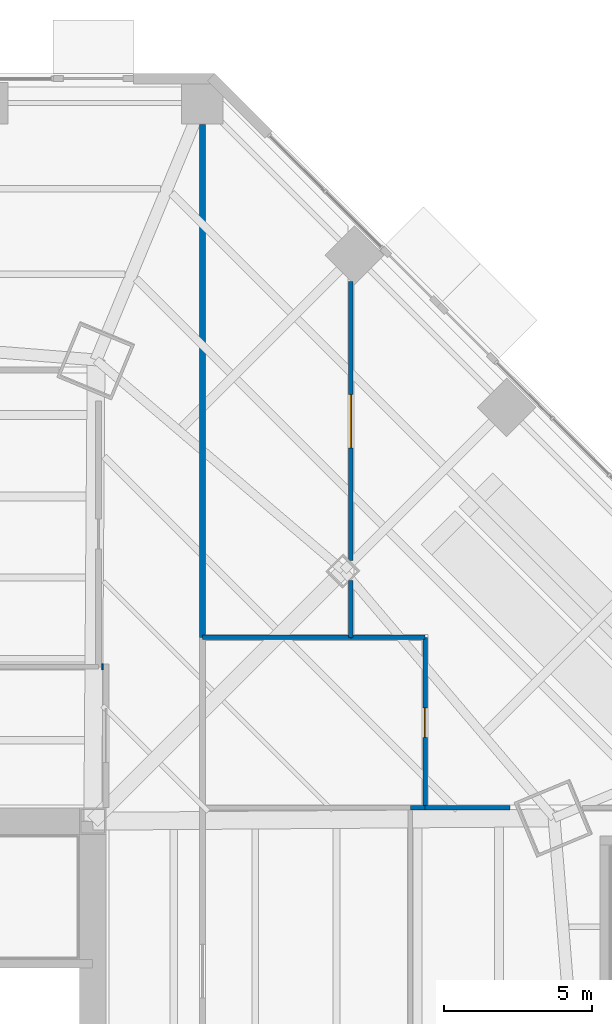
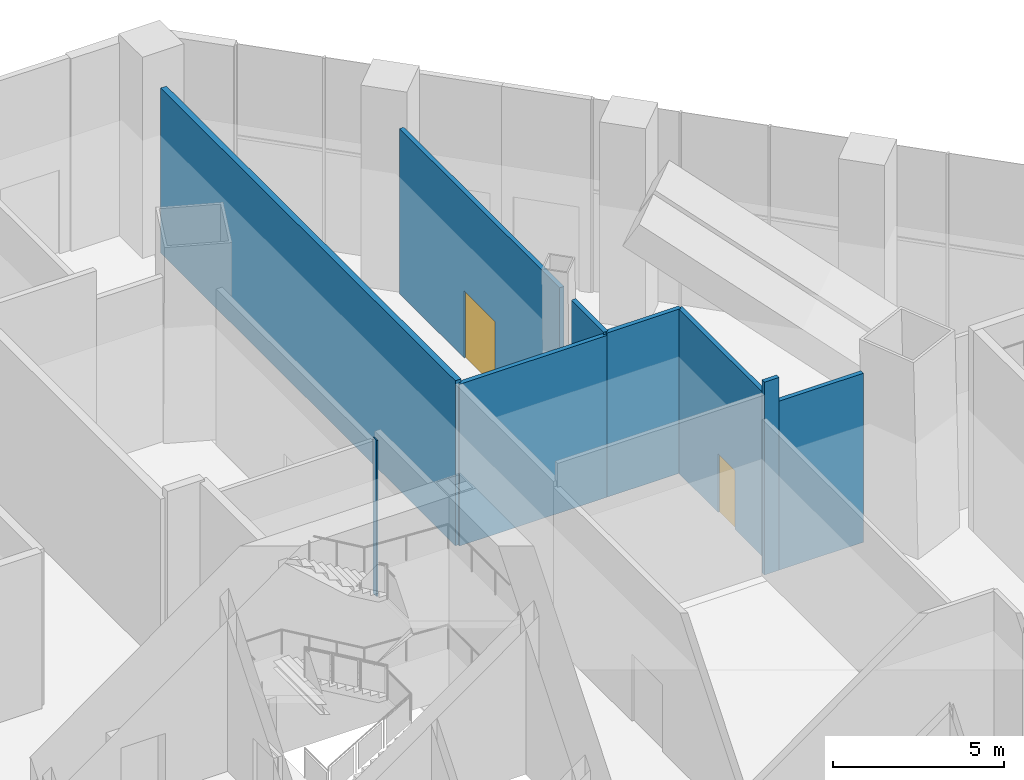
# One storey, part 24 of 35: 9 walls, 2 doors, 2 openings.
"""IFC4 building model written with IfcOpenShell, lengths in metres."""

from ifc_helpers import new_model, si_unit, direction, frame, frame_2d, origin, place, context, subcontext, project, spatial, rectangle, extrude, material, layer, layer_set, type_object, element, fill, save


model = new_model("IFC4")

# Units and contexts
model_context = context("Model", 3, precision=1e-05, world=origin(), true_north=direction((0.0, 1.0)))
body_context = subcontext(model_context, "Body", "Model", "MODEL_VIEW")
ifc_project = project(units=[si_unit("LENGTHUNIT", "METRE"), si_unit("AREAUNIT", "SQUARE_METRE"), si_unit("VOLUMEUNIT", "CUBIC_METRE"), si_unit("PLANEANGLEUNIT", "RADIAN"), si_unit("MASSUNIT", "GRAM", prefix="KILO")], contexts=[model_context])

# Site, building, storey
site_placement = place(None, origin())
site = spatial("IfcSite", under=ifc_project, at=site_placement, CompositionType="ELEMENT")
building_placement = place(site_placement, origin())
building = spatial("IfcBuilding", under=site, at=building_placement, Name="Mashrafa Tower", CompositionType="ELEMENT")
storey_placement = place(building_placement, origin())
storey = spatial("IfcBuildingStorey", under=building, at=storey_placement, Name="L00", CompositionType="ELEMENT", Elevation=0.0)

# Wall
ifc_material_1 = material(Name="Gypsum board on steel studs", Category="steel")
ifc_layer_1 = layer(ifc_material_1, 0.14990234375)
ifc_layer_set_1 = layer_set([ifc_layer_1], Name="Corridor partition 150 1 hr")
wall_type_1 = type_object("IfcWallType", Name="Corridor partition 150 1 hr", PredefinedType="PARTITIONING", material=ifc_layer_set_1)
wall_1_placement = place(storey_placement, frame((24.85302734375, 11.25, 0.0), z_axis=(0.0, 0.0, 1.0), x_axis=(-1.0, 0.0, 0.0)))
element("IfcWall", 1, at=wall_1_placement, inside=storey, type_object=wall_type_1, Name="Corridor wall L00-077", PredefinedType="PARTITIONING", context=body_context, shape_type="SweptSolid", body=[
    extrude(rectangle(XDim=2.85400390625, YDim=0.14990234375, at=frame_2d((1.427001953125, 0.0))), origin(), (0.0, 0.0, 1.0), 6.04931640625),
])

# Wall, opening, door
wall_2_placement = place(storey_placement, frame((22.0, 11.25, 0.0), z_axis=(0.0, 0.0, 1.0), x_axis=(0.0, 1.0, 0.0)))
wall_2 = element("IfcWall", 2, at=wall_2_placement, inside=storey, type_object=wall_type_1, Name="Corridor wall L00-083", PredefinedType="PARTITIONING", context=body_context, shape_type="SweptSolid", body=[
    extrude(rectangle(XDim=5.75, YDim=0.14990234375, at=frame_2d((2.875, 0.0))), origin(), (0.0, 0.0, 1.0), 5.879150390625),
])
opening_1_placement = place(wall_2_placement, frame((2.375, 0.0, 0.0)))
opening_1 = element("IfcOpeningElement", 3, at=opening_1_placement, cuts=wall_2, Name="Opening 00.019", PredefinedType="OPENING", context=body_context, shape_type="SweptSolid", body=[
    extrude(rectangle(XDim=1.0, YDim=2.10009765625, at=frame_2d((0.5, 1.050048828125))), frame((0.0, 0.0849609375, 0.0), z_axis=(0.0, -1.0, 0.0), x_axis=(1.0, 0.0, 0.0)), (0.0, 0.0, 1.0), 0.169921875),
])
ifc_material_2 = material(Name="Timber door", Category="wood")
door_type_1 = type_object("IfcDoorType", Name="Door 1000 x 2100", OperationType="USERDEFINED", PredefinedType="DOOR", material=ifc_material_2)
door_1_placement = place(opening_1_placement, origin())
door_1 = element("IfcDoor", 4, at=door_1_placement, inside=storey, type_object=door_type_1, Name="Exhibition Ticket Office L00 door", OperationType="SINGLE_SWING_LEFT", OverallHeight=2.10009765625, OverallWidth=1.0, PredefinedType="DOOR", context=body_context, shape_type="SweptSolid", body=[
    extrude(rectangle(XDim=1.0, YDim=2.10009765625, at=frame_2d((0.5, 1.050048828125))), frame((0.0, 0.02490234375, 0.0), z_axis=(0.0, -1.0, 0.0), x_axis=(1.0, 0.0, 0.0)), (0.0, 0.0, 1.0), 0.050048828125),
])
fill(opening_1, door_1)

# Walls
wall_3_placement = place(storey_placement, frame((22.0, 17.0, 0.0), z_axis=(0.0, 0.0, 1.0), x_axis=(-1.0, 0.0, 0.0)))
element("IfcWall", 5, at=wall_3_placement, inside=storey, type_object=wall_type_1, Name="Corridor wall L00-084", PredefinedType="PARTITIONING", context=body_context, shape_type="SweptSolid", body=[
    extrude(rectangle(XDim=2.5009765625, YDim=0.14990234375, at=frame_2d((1.25048828125, 0.0))), origin(), (0.0, 0.0, 1.0), 5.879150390625),
])
wall_4_placement = place(storey_placement, frame((19.5, 17.0, 0.0), z_axis=(0.0, 0.0, 1.0), x_axis=(0.0, 1.0, 0.0)))
element("IfcWall", 6, at=wall_4_placement, inside=storey, type_object=wall_type_1, Name="Corridor wall L00-086", PredefinedType="PARTITIONING", context=body_context, shape_type="SweptSolid", body=[
    extrude(rectangle(XDim=1.907470703125, YDim=0.14990234375, at=frame_2d((0.95361328125, 0.0))), origin(), (0.0, 0.0, 1.0), 5.879150390625),
])

# Wall, opening, door
wall_5_placement = place(storey_placement, frame((19.5, 19.580078125, 0.0), z_axis=(0.0, 0.0, 1.0), x_axis=(0.0, 1.0, 0.0)))
wall_5 = element("IfcWall", 7, at=wall_5_placement, inside=storey, type_object=wall_type_1, Name="Corridor wall L00-087", PredefinedType="PARTITIONING", context=body_context, shape_type="SweptSolid", body=[
    extrude(rectangle(XDim=9.400634765625, YDim=0.14990234375, at=frame_2d((4.7001953125, 0.0))), origin(), (0.0, 0.0, 1.0), 5.906982421875),
])
opening_2_placement = place(wall_5_placement, frame((3.80029296875, 0.0, 0.0)))
opening_2 = element("IfcOpeningElement", 8, at=opening_2_placement, cuts=wall_5, Name="Opening 00.020", PredefinedType="OPENING", context=body_context, shape_type="SweptSolid", body=[
    extrude(rectangle(XDim=1.800048828125, YDim=2.39990234375, at=frame_2d((0.89990234375, 1.199951171875))), frame((0.0, 0.0849609375, 0.0), z_axis=(0.0, -1.0, 0.0), x_axis=(1.0, 0.0, 0.0)), (0.0, 0.0, 1.0), 0.169921875),
])
ifc_material_3 = material(Name="Timber door", Category="wood")
door_type_2 = type_object("IfcDoorType", Name="Door pair 1800 x 2400", OperationType="DOUBLE_DOOR_SINGLE_SWING", PredefinedType="DOOR", material=ifc_material_3)
door_2_placement = place(opening_2_placement, origin())
door_2 = element("IfcDoor", 9, at=door_2_placement, inside=storey, type_object=door_type_2, Name="Retail Unit 003 door", OperationType="DOUBLE_DOOR_SINGLE_SWING", OverallHeight=2.39990234375, OverallWidth=1.800048828125, PredefinedType="DOOR", context=body_context, shape_type="SweptSolid", body=[
    extrude(rectangle(XDim=1.800048828125, YDim=2.39990234375, at=frame_2d((0.89990234375, 1.199951171875))), frame((0.0, 0.02490234375, 0.0), z_axis=(0.0, -1.0, 0.0), x_axis=(1.0, 0.0, 0.0)), (0.0, 0.0, 1.0), 0.050048828125),
])
fill(opening_2, door_2)

# Walls
ifc_material_4 = material(Name="Concrete masonry unit", Category="masonry")
ifc_layer_2 = layer(ifc_material_4, 0.199951171875)
ifc_layer_set_2 = layer_set([ifc_layer_2], Name="Fire barrier wall 200 1 hr")
wall_type_2 = type_object("IfcWallType", Name="Fire barrier wall 200 1 hr", PredefinedType="PARTITIONING", material=ifc_layer_set_2)
wall_6_placement = place(storey_placement, frame((11.14990234375, 16.0, 0.0), z_axis=(0.0, 0.0, 1.0), x_axis=(-1.0, 0.0, 0.0)))
element("IfcWall", 10, at=wall_6_placement, inside=storey, type_object=wall_type_2, Name="Fire wall L00-062", PredefinedType="PARTITIONING", context=body_context, shape_type="SweptSolid", body=[
    extrude(rectangle(XDim=0.0498046875, YDim=0.199951171875, at=frame_2d((0.02490234375, 0.0))), origin(), (0.0, 0.0, 1.0), 5.590087890625),
])
wall_7_placement = place(storey_placement, frame((14.5, 34.281005859375, 0.0), z_axis=(0.0, 0.0, 1.0), x_axis=(0.0, -1.0, 0.0)))
element("IfcWall", 11, at=wall_7_placement, inside=storey, type_object=wall_type_2, Name="Fire wall L00-088", PredefinedType="PARTITIONING", context=body_context, shape_type="SweptSolid", body=[
    extrude(rectangle(XDim=17.281005859375, YDim=0.199951171875, at=frame_2d((8.640625, 0.0))), origin(), (0.0, 0.0, 1.0), 5.906982421875),
])
ifc_material_5 = material(Name="Gypsum board on steel studs", Category="steel")
ifc_layer_3 = layer(ifc_material_5, 0.14990234375)
ifc_layer_set_3 = layer_set([ifc_layer_3], Name="Partition 150")
wall_type_3 = type_object("IfcWallType", Name="Partition 150", PredefinedType="PARTITIONING", material=ifc_layer_set_3)
wall_8_placement = place(storey_placement, frame((22.0009765625, 11.25, 0.0), z_axis=(0.0, 0.0, 1.0), x_axis=(-1.0, 0.0, 0.0)))
element("IfcWall", 12, at=wall_8_placement, inside=storey, type_object=wall_type_3, Name="Partition wall L00-074", PredefinedType="PARTITIONING", context=body_context, shape_type="SweptSolid", body=[
    extrude(rectangle(XDim=0.5009765625, YDim=0.14990234375, at=frame_2d((0.25048828125, 0.0))), origin(), (0.0, 0.0, 1.0), 6.89990234375),
])
wall_9_placement = place(storey_placement, frame((19.5009765625, 17.0, 0.0), z_axis=(0.0, 0.0, 1.0), x_axis=(-1.0, 0.0, 0.0)))
element("IfcWall", 13, at=wall_9_placement, inside=storey, type_object=wall_type_3, Name="Partition wall L00-082", PredefinedType="PARTITIONING", context=body_context, shape_type="SweptSolid", body=[
    extrude(rectangle(XDim=5.0009765625, YDim=0.14990234375, at=frame_2d((2.50048828125, 0.0))), origin(), (0.0, 0.0, 1.0), 5.7900390625),
])

save(model, "model.ifc")
